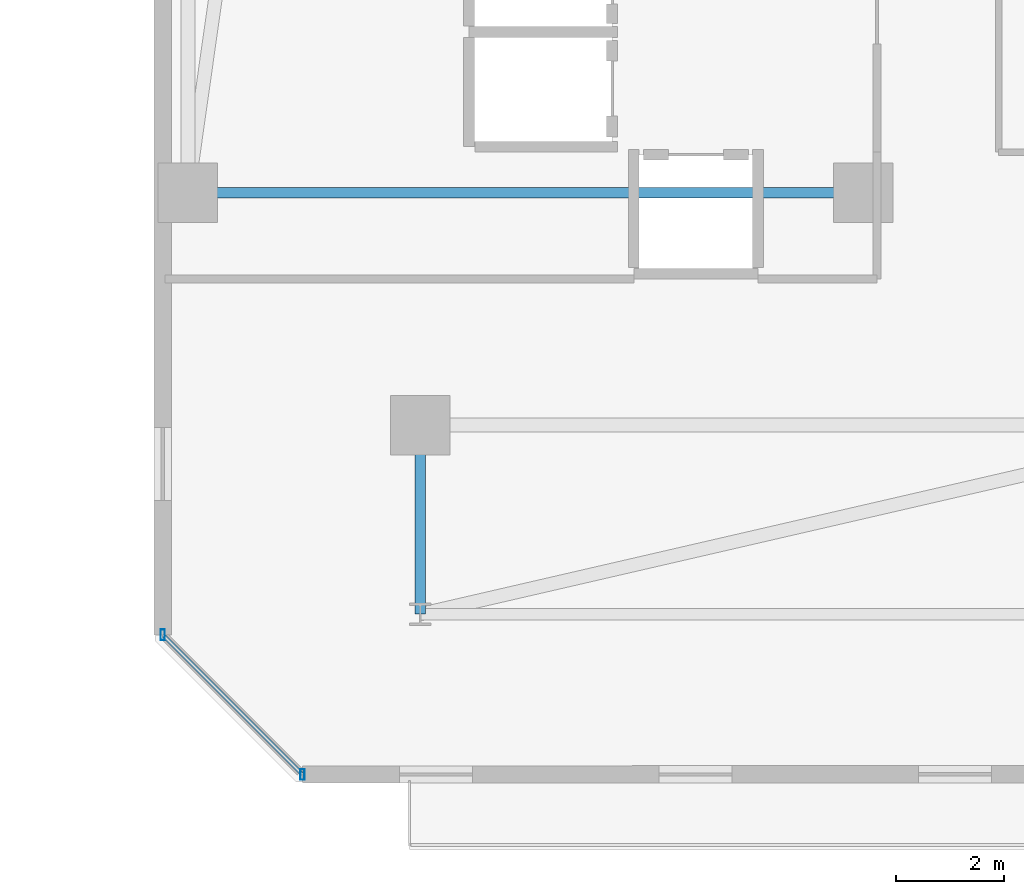
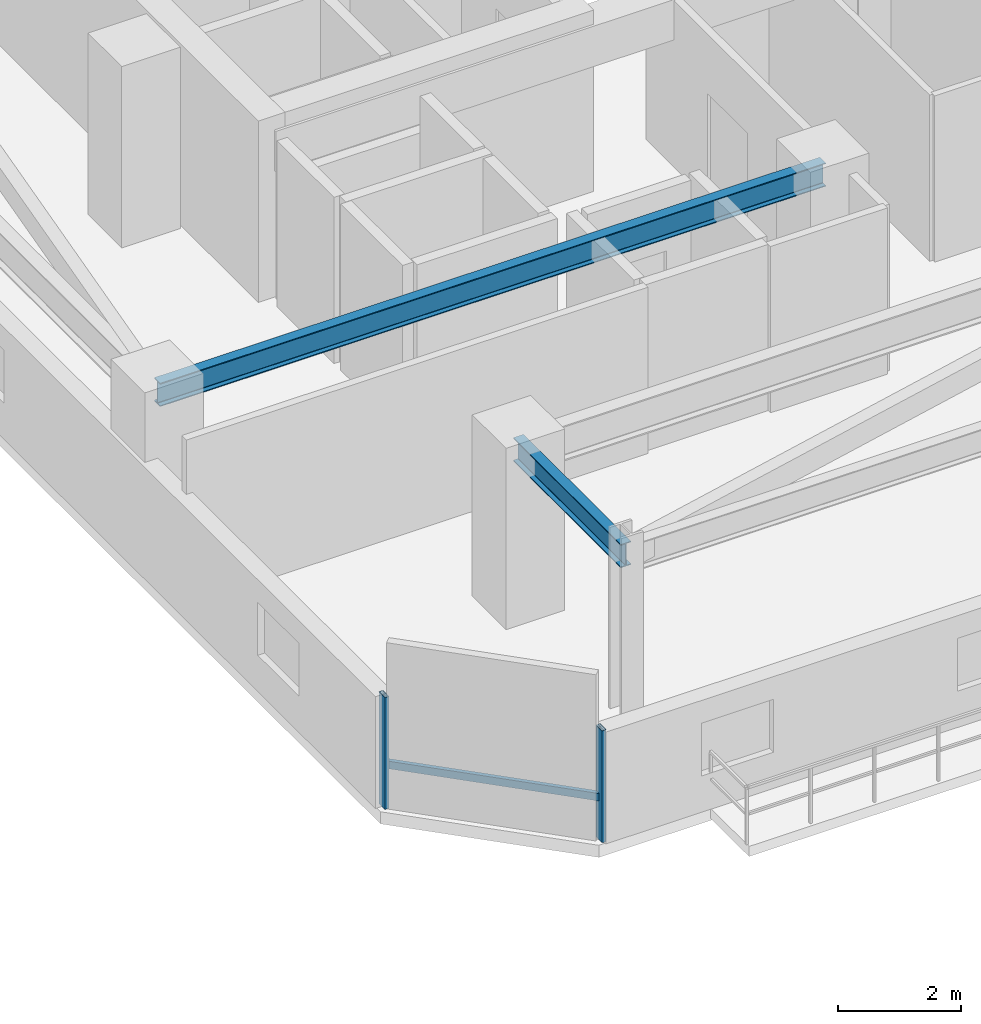
# One storey, part 10 of 35: 3 members, 2 beams, 1 element without a shape of its own.
"""IFC4 building model written with IfcOpenShell, lengths in metres."""

from ifc_helpers import new_model, si_unit, direction, frame, origin, origin_2d, place, context, subcontext, project, spatial, hollow_rectangle, i_section, extrude, material, material_profile, profile_set, type_object, element, aggregate, save


model = new_model("IFC4")

# Units and contexts
model_context = context("Model", 3, precision=1e-05, world=origin(), true_north=direction((0.0, 1.0)))
body_context = subcontext(model_context, "Body", "Model", "MODEL_VIEW")
ifc_project = project(units=[si_unit("LENGTHUNIT", "METRE"), si_unit("AREAUNIT", "SQUARE_METRE"), si_unit("VOLUMEUNIT", "CUBIC_METRE"), si_unit("PLANEANGLEUNIT", "RADIAN"), si_unit("MASSUNIT", "GRAM", prefix="KILO")], contexts=[model_context])

# Site, building, storey
site_placement = place(None, origin())
site = spatial("IfcSite", under=ifc_project, at=site_placement, CompositionType="ELEMENT")
building_placement = place(site_placement, origin())
building = spatial("IfcBuilding", under=site, at=building_placement, Name="Thornwick Lancets Civic Towers", CompositionType="ELEMENT")
storey_placement = place(building_placement, frame((0.0, 0.0, 145.5)))
storey = spatial("IfcBuildingStorey", under=building, at=storey_placement, Name="L38", CompositionType="ELEMENT", Elevation=145.5)

# Beams
ifc_material_1 = material(Name="Steel S355JR", Category="steel")
ifc_material_profile_1 = material_profile(ifc_material_1, i_section(OverallWidth=0.19189453125, OverallDepth=0.46337890625, WebThickness=0.010498046875, FlangeThickness=0.017578125, FilletRadius=0.01025390625, at=origin_2d()), Name="UKB 457x191x89")
ifc_profile_set_1 = profile_set([ifc_material_profile_1], Name="Steel S355JR")
beam_type = type_object("IfcBeamType", Name="BM_JOIST_457_89", PredefinedType="JOIST", material=ifc_profile_set_1)
beam_1_placement = place(storey_placement, frame((83.699951171875, 14.0, 3.08837890625), z_axis=(-1.0, 0.0, 0.0), x_axis=(0.0, -1.0, 0.0)))
element("IfcBeam", 1, at=beam_1_placement, inside=storey, type_object=beam_type, Name="BM-RADIN-L38-B07", PredefinedType="JOIST", context=body_context, shape_type="SweptSolid", body=[
    extrude(i_section(OverallWidth=0.19189453125, OverallDepth=0.46337890625, WebThickness=0.010498046875, FlangeThickness=0.017578125, FilletRadius=0.01025390625, at=origin_2d()), origin(), (0.0, 0.0, 1.0), 12.5),
])
beam_2_placement = place(storey_placement, frame((75.5, 9.699951171875, 3.08837890625), z_axis=(0.0, -1.0, 0.0), x_axis=(1.0, 0.0, 0.0)))
element("IfcBeam", 2, at=beam_2_placement, inside=storey, type_object=beam_type, Name="BM-RAD-L38-B12", PredefinedType="JOIST", context=body_context, shape_type="SweptSolid", body=[
    extrude(i_section(OverallWidth=0.19189453125, OverallDepth=0.46337890625, WebThickness=0.010498046875, FlangeThickness=0.017578125, FilletRadius=0.01025390625, at=origin_2d()), origin(), (0.0, 0.0, 1.0), 3.5),
])

# Curtain wall, members
ifc_material_2 = material(Name="Mid-zone chamfered-corner unitised glass curtain wall", Category="glass")
curtain_wall_type = type_object("IfcCurtainWallType", Name="CW_SYS_04", PredefinedType="NOTDEFINED", material=ifc_material_2)
curtain_wall_placement = place(storey_placement, origin())
curtain_wall = element("IfcCurtainWall", 3, at=curtain_wall_placement, inside=storey, type_object=curtain_wall_type, Name="L38 Curtain Wall CW-L38-B-E7", PredefinedType="NOTDEFINED")
ifc_material_3 = material(Name="Thermally broken bronze aluminium S355", Category="steel")
ifc_material_profile_2 = material_profile(ifc_material_3, hollow_rectangle(XDim=0.080078125, YDim=0.199951171875, WallThickness=0.006103515625, at=origin_2d()), Name="RHS 200x80x6")
ifc_profile_set_2 = profile_set([ifc_material_profile_2], Name="Thermally broken bronze aluminium S355")
member_type_1 = type_object("IfcMemberType", Name="CW_MUL_200", PredefinedType="MULLION", material=ifc_profile_set_2)
member_1_placement = place(storey_placement, frame((70.7353515625, 5.818603515625, 0.0), z_axis=(0.0, 0.0, 1.0), x_axis=(1.0, 0.0, 0.0)))
member_1 = element("IfcMember", 4, at=member_1_placement, type_object=member_type_1, Name="CW-L38-B-E7 Mullion 0", PredefinedType="MULLION", context=body_context, shape_type="SweptSolid", body=[
    extrude(hollow_rectangle(XDim=0.080078125, YDim=0.199951171875, WallThickness=0.006103515625, at=origin_2d()), origin(), (0.0, 0.0, 1.0), 2.219970703125),
])
member_2_placement = place(storey_placement, frame((73.318603515625, 3.2353515625, 0.0), z_axis=(0.0, 0.0, 1.0), x_axis=(1.0, 0.0, 0.0)))
member_2 = element("IfcMember", 5, at=member_2_placement, type_object=member_type_1, Name="CW-L38-B-E7 Mullion 1", PredefinedType="MULLION", context=body_context, shape_type="SweptSolid", body=[
    extrude(hollow_rectangle(XDim=0.080078125, YDim=0.199951171875, WallThickness=0.006103515625, at=origin_2d()), origin(), (0.0, 0.0, 1.0), 2.219970703125),
])
ifc_material_profile_3 = material_profile(ifc_material_3, hollow_rectangle(XDim=0.074951171875, YDim=0.14990234375, WallThickness=0.0048828125, at=origin_2d()), Name="RHS 150x75x5")
ifc_profile_set_3 = profile_set([ifc_material_profile_3], Name="Thermally broken bronze aluminium S355")
member_type_2 = type_object("IfcMemberType", Name="CW_TRN_150", PredefinedType="USERDEFINED", material=ifc_profile_set_3)
member_3_placement = place(storey_placement, frame((70.74951171875, 5.804443359375, 0.85009765625), z_axis=(0.707106781187, -0.707106781187, 0.0), x_axis=(0.707106781187, 0.707106781187, 0.0)))
member_3 = element("IfcMember", 6, at=member_3_placement, type_object=member_type_2, Name="CW-L38-B-E7 Transom 0", ObjectType="TRANSOM", PredefinedType="USERDEFINED", context=body_context, shape_type="SweptSolid", body=[
    extrude(hollow_rectangle(XDim=0.074951171875, YDim=0.14990234375, WallThickness=0.0048828125, at=origin_2d()), origin(), (0.0, 0.0, 1.0), 3.61328125),
])
aggregate(curtain_wall, [member_1, member_2, member_3])

save(model, "model.ifc")
